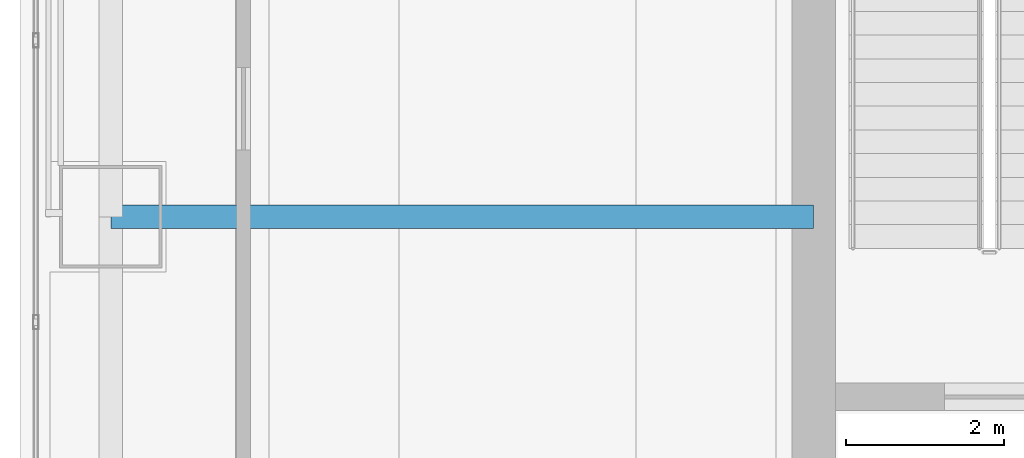
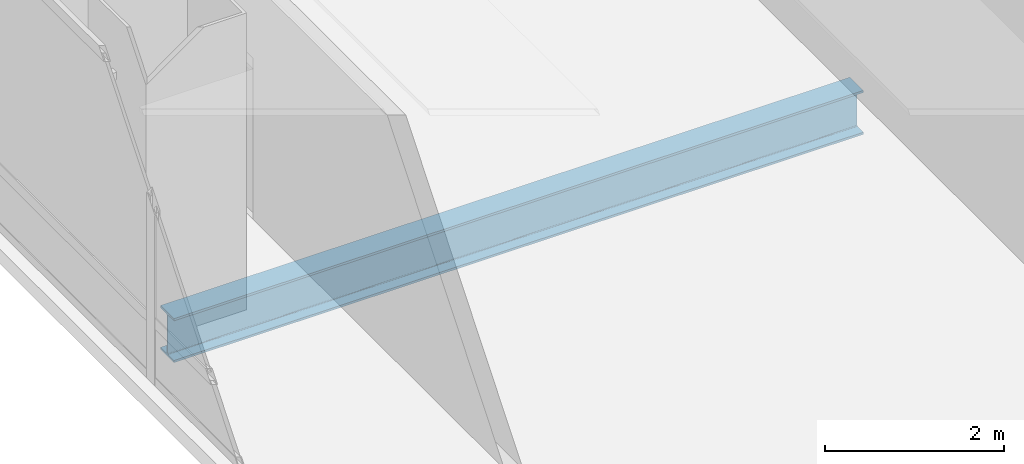
# One storey, part 5 of 42: 1 beam.
"""IFC4 building model written with IfcOpenShell, lengths in metres."""

from ifc_helpers import new_model, si_unit, direction, frame, origin, origin_2d, place, context, subcontext, project, spatial, i_section, extrude, material, material_profile, profile_set, type_object, element, save


model = new_model("IFC4")

# Units and contexts
model_context = context("Model", 3, precision=1e-05, world=origin(), true_north=direction((0.0, 1.0)))
body_context = subcontext(model_context, "Body", "Model", "MODEL_VIEW")
ifc_project = project(units=[si_unit("LENGTHUNIT", "METRE"), si_unit("AREAUNIT", "SQUARE_METRE"), si_unit("VOLUMEUNIT", "CUBIC_METRE"), si_unit("PLANEANGLEUNIT", "RADIAN"), si_unit("MASSUNIT", "GRAM", prefix="KILO")], contexts=[model_context])

# Site, building, storey
site_placement = place(None, origin())
site = spatial("IfcSite", under=ifc_project, at=site_placement, CompositionType="ELEMENT")
building_placement = place(site_placement, origin())
building = spatial("IfcBuilding", under=site, at=building_placement, Name="Punatoya Terracotta Tower", CompositionType="ELEMENT")
storey_placement = place(building_placement, frame((0.0, 0.0, 255.449951171875)))
storey = spatial("IfcBuildingStorey", under=building, at=storey_placement, Name="L60", CompositionType="ELEMENT", Elevation=255.449951171875)

# Beam
ifc_material = material(Name="Steel S355", Category="steel")
ifc_material_profile = material_profile(ifc_material, i_section(OverallWidth=0.300048828125, OverallDepth=0.60009765625, WebThickness=0.015380859375, FlangeThickness=0.030029296875, FilletRadius=0.01806640625, at=origin_2d()))
ifc_profile_set = profile_set([ifc_material_profile], Name="Steel S355")
beam_type = type_object("IfcBeamType", Name="BM-PRI-600", PredefinedType="BEAM", material=ifc_profile_set)
beam_placement = place(storey_placement, frame((-19.10009765625, -3.39990234375, -0.5), z_axis=(1.0, 0.0, 0.0), x_axis=(0.0, 1.0, 0.0)))
element("IfcBeam", 1, at=beam_placement, inside=storey, type_object=beam_type, Name="BM-L60-PR-WD", PredefinedType="BEAM", context=body_context, shape_type="SweptSolid", body=[
    extrude(i_section(OverallWidth=0.300048828125, OverallDepth=0.60009765625, WebThickness=0.015380859375, FlangeThickness=0.030029296875, FilletRadius=0.01806640625, at=origin_2d()), origin(), (0.0, 0.0, 1.0), 8.900146484375),
])

save(model, "model.ifc")
